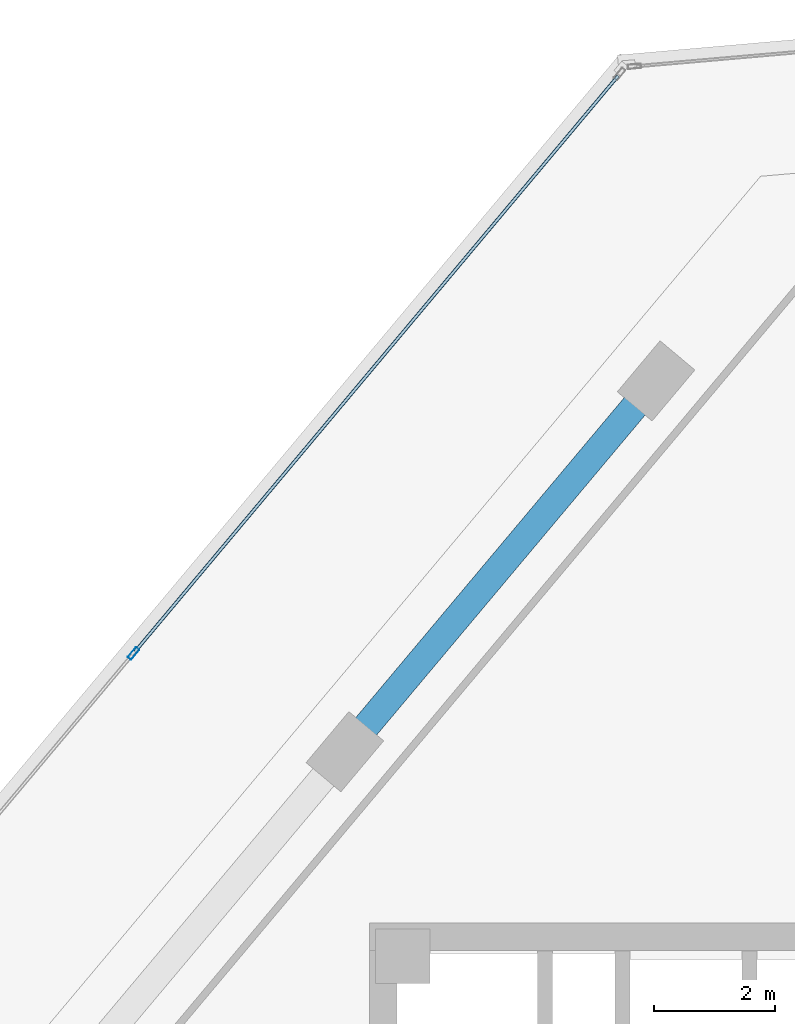
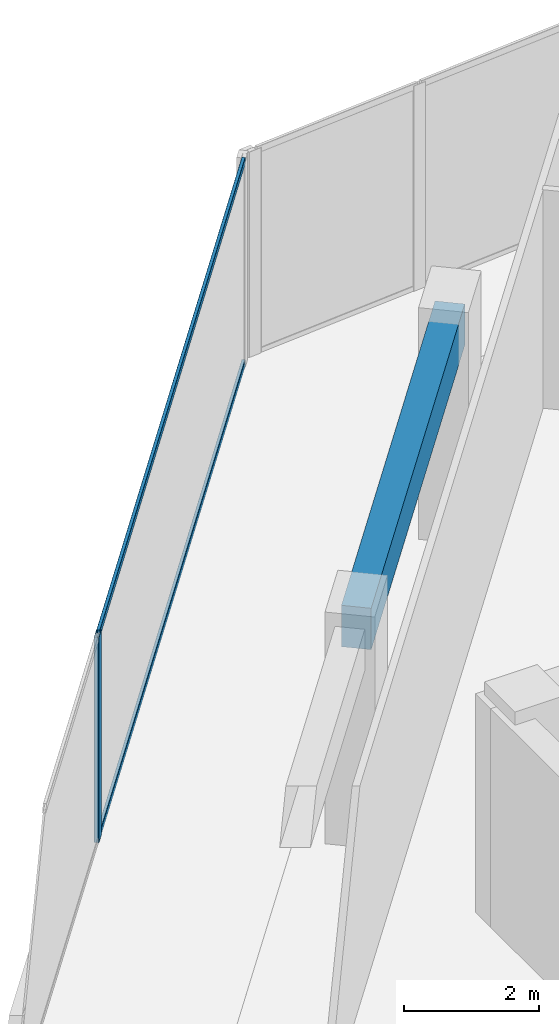
# One storey, part 8 of 17: 3 members, 1 beam, 1 element without a shape of its own.
"""IFC4 building model written with IfcOpenShell, lengths in metres."""

from ifc_helpers import new_model, si_unit, direction, frame, origin, origin_2d, place, context, subcontext, project, spatial, rectangle, hollow_rectangle, extrude, source, transform, mapped, material, material_profile, profile_set, type_object, element, aggregate, save


model = new_model("IFC4")

# Units and contexts
model_context = context("Model", 3, precision=1e-05, world=origin(), true_north=direction((0.0, 1.0)))
body_context = subcontext(model_context, "Body", "Model", "MODEL_VIEW")
ifc_project = project(units=[si_unit("LENGTHUNIT", "METRE"), si_unit("AREAUNIT", "SQUARE_METRE"), si_unit("VOLUMEUNIT", "CUBIC_METRE"), si_unit("PLANEANGLEUNIT", "RADIAN"), si_unit("MASSUNIT", "GRAM", prefix="KILO")], contexts=[model_context])

# Site, building, storey
site_placement = place(None, origin())
site = spatial("IfcSite", under=ifc_project, at=site_placement, CompositionType="ELEMENT")
building_placement = place(site_placement, origin())
building = spatial("IfcBuilding", under=site, at=building_placement, Name="Torre Montelarca", CompositionType="ELEMENT")
storey_placement = place(building_placement, frame((0.0, 0.0, 220.60009765625)))
storey = spatial("IfcBuildingStorey", under=building, at=storey_placement, Name="L49", CompositionType="ELEMENT", Elevation=220.60009765625)

# Beam
ifc_material_1 = material(Name="Concrete C55/67", Category="concrete")
ifc_material_profile_1 = material_profile(ifc_material_1, rectangle(XDim=0.449951171875, YDim=0.75, at=origin_2d()), Name="RCB450X750", Category="concrete")
ifc_profile_set_1 = profile_set([ifc_material_profile_1], Name="Concrete C55/67")
beam_type = type_object("IfcBeamType", Name="BM-SP-RC750-EXT", PredefinedType="SPANDREL", material=ifc_profile_set_1)
shared_shape_1 = source(origin(), body_context, "Body", "SweptSolid", [
    extrude(rectangle(XDim=0.449951171875, YDim=0.75, at=origin_2d()), origin(), (0.0, 0.0, 1.0), 8.0),
])
beam_placement = place(storey_placement, frame((8.59228515625, 42.8310546875, 3.5849609375), z_axis=(0.642801223034, 0.766033019958, 0.0), x_axis=(-0.766033019958, 0.642801223034, 0.0)))
element("IfcBeam", 1, at=beam_placement, inside=storey, type_object=beam_type, Name="L49 Grid Girder Y 32.0-40.0 at X=4.7", PredefinedType="SPANDREL", context=body_context, shape_type="MappedRepresentation", body=[
    mapped(shared_shape_1, transform((0.0, 0.0, 0.0), scale=1.0)),
])

# Curtain wall, members
ifc_material_2 = material(Name="Insulated low-E laminated glass", Category="glass")
curtain_wall_type = type_object("IfcCurtainWallType", Name="CW-SYS-Z3", PredefinedType="USERDEFINED", material=ifc_material_2)
curtain_wall_placement = place(storey_placement, origin())
curtain_wall = element("IfcCurtainWall", 2, at=curtain_wall_placement, inside=storey, type_object=curtain_wall_type, Name="L49 Curtain Wall Run CW-T3-L49-E10-B1", ObjectType="UNITISED GLAZING", PredefinedType="USERDEFINED")
ifc_material_3 = material(Name="Anodised aluminium AA 6063-T6", Category="aluminium")
ifc_material_profile_2 = material_profile(ifc_material_3, hollow_rectangle(XDim=0.054931640625, YDim=0.1201171875, WallThickness=0.00341796875, InnerFilletRadius=0.00341796875, OuterFilletRadius=0.007080078125, at=origin_2d()), Name="ALU55X120X3.5", Category="aluminium")
ifc_profile_set_2 = profile_set([ifc_material_profile_2], Name="Anodised aluminium AA 6063-T6")
member_type_1 = type_object("IfcMemberType", Name="CWT-ALU120", PredefinedType="USERDEFINED", material=ifc_profile_set_2)
shared_shape_2 = source(origin(), body_context, "Body", "SweptSolid", [
    extrude(hollow_rectangle(XDim=0.054931640625, YDim=0.1201171875, WallThickness=0.00341796875, InnerFilletRadius=0.00341796875, OuterFilletRadius=0.007080078125, at=origin_2d()), origin(), (0.0, 0.0, 1.0), 12.421630859375),
])
member_1_placement = place(storey_placement, frame((13.1083984375, 54.000244140625, 0.02734375), z_axis=(-0.64280020299, -0.766033875907, 0.0), x_axis=(0.766033875907, -0.64280020299, 0.0)))
member_1 = element("IfcMember", 3, at=member_1_placement, type_object=member_type_1, Name="CW transom 1.1", ObjectType="TRANSOM", PredefinedType="USERDEFINED", context=body_context, shape_type="MappedRepresentation", body=[
    mapped(shared_shape_2, transform((0.0, 0.0, 0.0), scale=1.0)),
])
member_2_placement = place(storey_placement, frame((13.1083984375, 54.000244140625, 3.6923828125), z_axis=(-0.64280020299, -0.766033875907, 0.0), x_axis=(0.766033875907, -0.64280020299, 0.0)))
member_2 = element("IfcMember", 4, at=member_2_placement, type_object=member_type_1, Name="CW transom 1.2", ObjectType="TRANSOM", PredefinedType="USERDEFINED", context=body_context, shape_type="MappedRepresentation", body=[
    mapped(shared_shape_2, transform((0.0, 0.0, 0.0), scale=1.0)),
])
ifc_material_profile_3 = material_profile(ifc_material_3, hollow_rectangle(XDim=0.074951171875, YDim=0.219970703125, WallThickness=0.0048828125, InnerFilletRadius=0.0048828125, OuterFilletRadius=0.010009765625, at=origin_2d()), Name="ALU75X220X5", Category="aluminium")
ifc_profile_set_3 = profile_set([ifc_material_profile_3], Name="Anodised aluminium AA 6063-T6")
member_type_2 = type_object("IfcMemberType", Name="CWM-ALU220", PredefinedType="MULLION", material=ifc_profile_set_3)
shared_shape_3 = source(origin(), body_context, "Body", "SweptSolid", [
    extrude(hollow_rectangle(XDim=0.074951171875, YDim=0.219970703125, WallThickness=0.0048828125, InnerFilletRadius=0.0048828125, OuterFilletRadius=0.010009765625, at=origin_2d()), origin(), (0.0, 0.0, 1.0), 3.719970703125),
])
member_3_placement = place(storey_placement, frame((5.099609375, 44.4560546875, 0.0), z_axis=(0.0, 0.0, 1.0), x_axis=(0.766043772472, -0.642788408931, 0.0)))
member_3 = element("IfcMember", 5, at=member_3_placement, type_object=member_type_2, Name="CW mullion 2", PredefinedType="MULLION", context=body_context, shape_type="MappedRepresentation", body=[
    mapped(shared_shape_3, transform((0.0, 0.0, 0.0), scale=1.0)),
])
aggregate(curtain_wall, [member_3, member_1, member_2])

save(model, "model.ifc")
